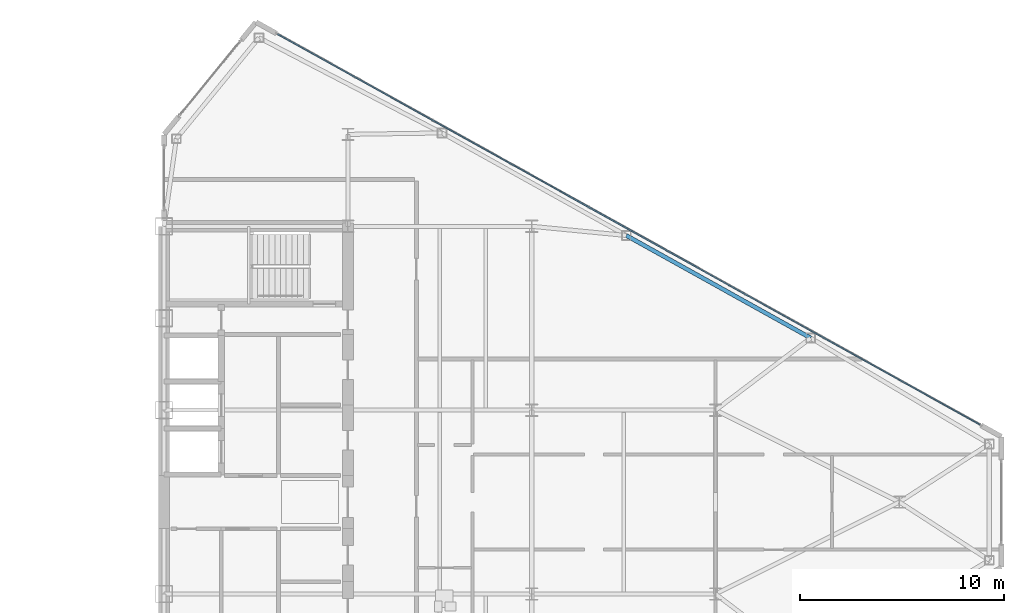
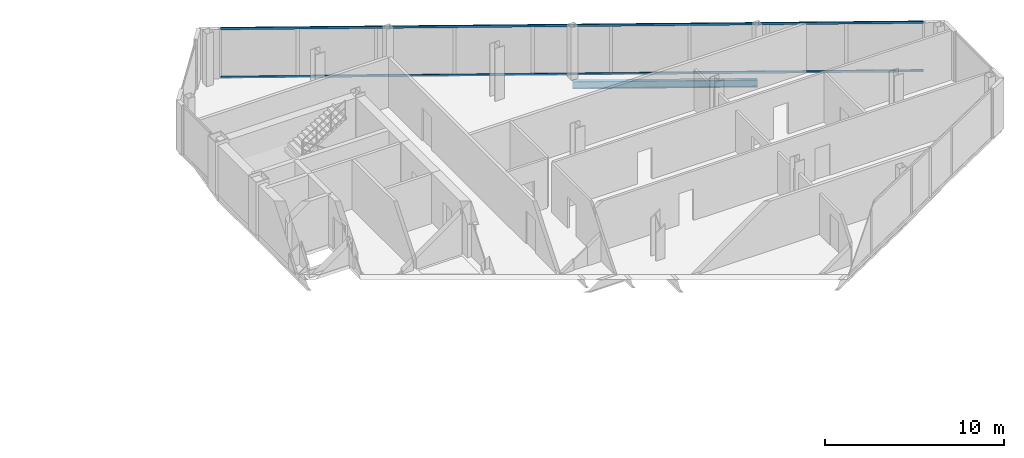
# One storey, part 16 of 26: 2 members, 1 beam, 1 element without a shape of its own.
"""IFC4 building model written with IfcOpenShell, lengths in metres."""

from ifc_helpers import new_model, si_unit, direction, frame, origin, origin_2d, place, context, subcontext, project, spatial, rectangle, i_section, extrude, source, transform, mapped, material, layer, layer_set, material_profile, profile_set, type_object, type_shapes, element, aggregate, save


model = new_model("IFC4")

# Units and contexts
model_context = context("Model", 3, precision=1e-05, world=origin(), true_north=direction((0.0, 1.0)))
body_context = subcontext(model_context, "Body", "Model", "MODEL_VIEW")
ifc_project = project(units=[si_unit("LENGTHUNIT", "METRE"), si_unit("AREAUNIT", "SQUARE_METRE"), si_unit("VOLUMEUNIT", "CUBIC_METRE"), si_unit("PLANEANGLEUNIT", "RADIAN"), si_unit("MASSUNIT", "GRAM", prefix="KILO")], contexts=[model_context])

# Site, building, storey
site_placement = place(None, origin())
site = spatial("IfcSite", under=ifc_project, at=site_placement, CompositionType="ELEMENT")
building_placement = place(site_placement, origin())
building = spatial("IfcBuilding", under=site, at=building_placement, Name="Seokmaru Belvedere", CompositionType="ELEMENT")
storey_placement = place(building_placement, frame((0.0, 0.0, 167.10009765625)))
storey = spatial("IfcBuildingStorey", under=building, at=storey_placement, Name="L44", CompositionType="ELEMENT", Elevation=167.10009765625)

# Beam
ifc_material_1 = material(Name="Steel SM355 (355 MPa)", Category="steel")
ifc_material_profile_1 = material_profile(ifc_material_1, i_section(OverallWidth=0.199951171875, OverallDepth=0.5, WebThickness=0.010009765625, FlangeThickness=0.01611328125, at=origin_2d()), Name="H-500x200x10x16")
ifc_profile_set_1 = profile_set([ifc_material_profile_1], Name="Steel SM355 (355 MPa)")
beam_type = type_object("IfcBeamType", Name="Perimeter Spandrel Beam H-500", PredefinedType="SPANDREL", material=ifc_profile_set_1)
shared_shape_1 = source(origin(), body_context, "Body", "SweptSolid", [
    extrude(i_section(OverallWidth=0.199951171875, OverallDepth=0.5, WebThickness=0.010009765625, FlangeThickness=0.01611328125, at=origin_2d()), origin(), (0.0, 0.0, 1.0), 10.327392578125),
])
type_shapes(beam_type, [shared_shape_1])
beam_placement = place(storey_placement, frame((50.129150390625, 13.051025390625, -0.47021484375), z_axis=(0.873934162361, -0.48604431882, 0.0), x_axis=(0.48604431882, 0.873934162361, 0.0)))
element("IfcBeam", 1, at=beam_placement, inside=storey, type_object=beam_type, Name="L44 E Faceted Flank Spandrel N-3", PredefinedType="SPANDREL", context=body_context, shape_type="MappedRepresentation", body=[
    mapped(shared_shape_1, transform((0.0, 0.0, 0.0), scale=1.0)),
])

# Curtain wall, members
ifc_material_2 = material(Name="Bronze Triple Insulating Glass", Category="glass")
ifc_layer = layer(ifc_material_2, 0.179931640625)
ifc_layer_set = layer_set([ifc_layer], Name="Bronze Triple Insulating Glass")
curtain_wall_type = type_object("IfcCurtainWallType", Name="High-Rise Wind-Corner Curtain Wall System CW-5", PredefinedType="NOTDEFINED", material=ifc_layer_set)
curtain_wall_placement = place(storey_placement, origin())
curtain_wall = element("IfcCurtainWall", 2, at=curtain_wall_placement, inside=storey, type_object=curtain_wall_type, Name="L44 Curtain Wall EF3", PredefinedType="NOTDEFINED")
ifc_material_3 = material(Name="Anodised Bronze Aluminium", Category="aluminium")
ifc_material_profile_2 = material_profile(ifc_material_3, rectangle(XDim=0.06494140625, YDim=0.14990234375, at=origin_2d()), Name="CW-T-65x150")
ifc_profile_set_2 = profile_set([ifc_material_profile_2], Name="Anodised Bronze Aluminium")
member_type = type_object("IfcMemberType", Name="Bronze Unitised Transom 65x150", PredefinedType="USERDEFINED", material=ifc_profile_set_2)
shared_shape_2 = source(origin(), body_context, "Body", "SweptSolid", [
    extrude(rectangle(XDim=0.06494140625, YDim=0.14990234375, at=origin_2d()), origin(), (0.0, 0.0, 1.0), 39.33544921875),
])
type_shapes(member_type, [shared_shape_2])
member_1_placement = place(storey_placement, frame((67.438232421875, 3.79052734375, 0.032470703125), z_axis=(-0.873932045133, 0.486048125693, 0.0), x_axis=(-0.486048125693, -0.873932045133, 0.0)))
member_1 = element("IfcMember", 3, at=member_1_placement, type_object=member_type, Name="CW:L44:EF3 Continuous Transom 1", ObjectType="TRANSOM", PredefinedType="USERDEFINED", context=body_context, shape_type="MappedRepresentation", body=[
    mapped(shared_shape_2, transform((0.0, 0.0, 0.0), scale=1.0)),
])
member_2_placement = place(storey_placement, frame((67.438232421875, 3.79052734375, 3.347412109375), z_axis=(-0.873932045133, 0.486048125693, 0.0), x_axis=(-0.486048125693, -0.873932045133, 0.0)))
member_2 = element("IfcMember", 4, at=member_2_placement, type_object=member_type, Name="CW:L44:EF3 Continuous Transom 2", ObjectType="TRANSOM", PredefinedType="USERDEFINED", context=body_context, shape_type="MappedRepresentation", body=[
    mapped(shared_shape_2, transform((0.0, 0.0, 0.0), scale=1.0)),
])
aggregate(curtain_wall, [member_1, member_2])

save(model, "model.ifc")
